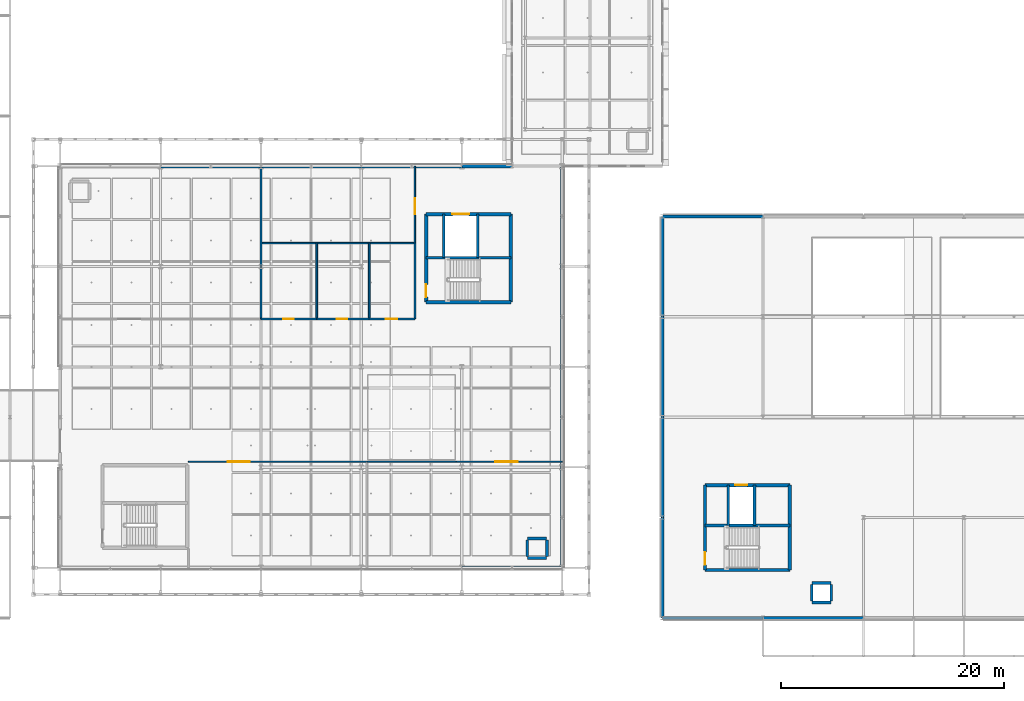
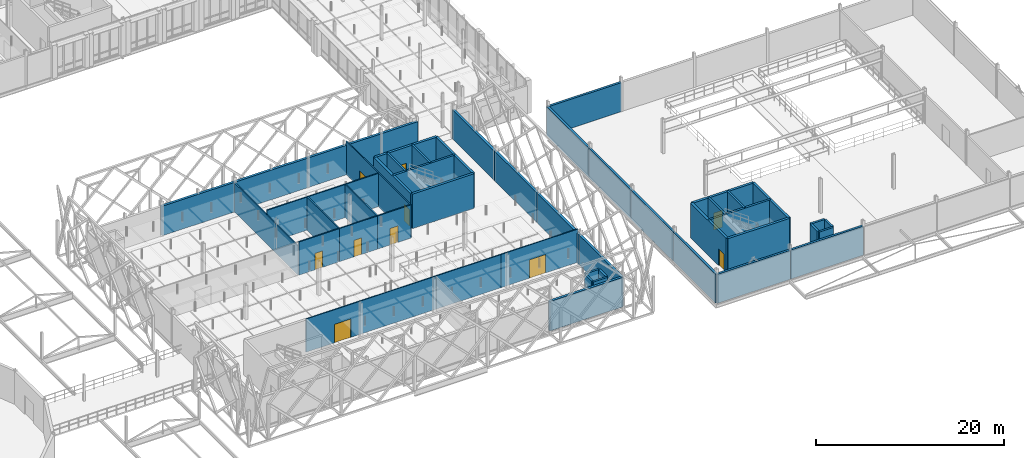
# One storey, part 90 of 140: 50 walls, 10 doors, 10 openings.
"""IFC4 building model written with IfcOpenShell, lengths in metres."""

from ifc_helpers import new_model, si_unit, direction, frame, frame_2d, origin, place, context, subcontext, project, spatial, rectangle, extrude, material, layer, layer_set, type_object, element, fill, save


model = new_model("IFC4")

# Units and contexts
model_context = context("Model", 3, precision=1e-05, world=origin(), true_north=direction((0.0, 1.0)))
body_context = subcontext(model_context, "Body", "Model", "MODEL_VIEW")
ifc_project = project(units=[si_unit("LENGTHUNIT", "METRE"), si_unit("AREAUNIT", "SQUARE_METRE"), si_unit("VOLUMEUNIT", "CUBIC_METRE"), si_unit("PLANEANGLEUNIT", "RADIAN"), si_unit("MASSUNIT", "GRAM", prefix="KILO"), si_unit("THERMODYNAMICTEMPERATUREUNIT", "KELVIN"), si_unit("POWERUNIT", "WATT")], contexts=[model_context])

# Site, building, storey
site_placement = place(None, origin())
site = spatial("IfcSite", under=ifc_project, at=site_placement, CompositionType="ELEMENT")
building_placement = place(site_placement, origin())
building = spatial("IfcBuilding", under=site, at=building_placement, Name="Tallowbark Science Centre", CompositionType="ELEMENT")
storey_placement = place(building_placement, frame((0.0, 0.0, 9.89990234375)))
storey = spatial("IfcBuildingStorey", under=building, at=storey_placement, Name="L02", CompositionType="ELEMENT", Elevation=9.89990234375)

# Walls
ifc_material_1 = material(Name="Insulated Ribbed Precast Concrete Panel Grade N40 (40 MPa)", Category="concrete")
ifc_layer_1 = layer(ifc_material_1, 0.264892578125)
ifc_layer_set_1 = layer_set([ifc_layer_1], Name="Insulated Ribbed Precast Concrete Panel Grade N40 (40 MPa)")
wall_type_1 = type_object("IfcWallType", Name="EWL-PRC-265", PredefinedType="STANDARD", material=ifc_layer_set_1)
for number, where, z_axis, x_axis, name in (
    (1, (112.5, 0.0, 0.0), (0.0, 0.0, 1.0), (1.0, 0.0, 0.0), "Exterior Wall THT-S-L02-0"),
    (2, (121.5, 36.0, 0.0), (0.0, 0.0, 1.0), (-1.0, 0.0, 0.0), "Exterior Wall THT-N-L02-0"),
    (3, (121.5, 0.0, 0.0), (0.0, 0.0, 1.0), (1.0, 0.0, 0.0), "Exterior Wall THT-S-L02-1"),
    (4, (112.5, 9.0, 0.0), (0.0, 0.0, 1.0), (0.0, -1.0, 0.0), "Exterior Wall THT-W-L02-0"),
    (5, (112.5, 18.0, 0.0), (0.0, 0.0, 1.0), (0.0, -1.0, 0.0), "Exterior Wall THT-W-L02-1"),
    (6, (112.5, 27.0, 0.0), (0.0, 0.0, 1.0), (0.0, -1.0, 0.0), "Exterior Wall THT-W-L02-2"),
    (7, (112.5, 36.0, 0.0), (0.0, 0.0, 1.0), (0.0, -1.0, 0.0), "Exterior Wall THT-W-L02-3"),
):
    element("IfcWall", number, at=place(storey_placement, frame(where, z_axis=z_axis, x_axis=x_axis)), inside=storey, type_object=wall_type_1, Name=name, PredefinedType="STANDARD", context=body_context, shape_type="SweptSolid", body=[
        extrude(rectangle(XDim=9.0, YDim=0.264892578125, at=frame_2d((4.5, 0.0))), origin(), (0.0, 0.0, 1.0), 3.78125),
    ])
ifc_material_2 = material(Name="Spotted Gum Acoustic Cassette Wall Assembly", Category="wood")
ifc_layer_2 = layer(ifc_material_2, 0.294921875)
ifc_layer_set_2 = layer_set([ifc_layer_2], Name="Spotted Gum Acoustic Cassette Wall Assembly")
wall_type_2 = type_object("IfcWallType", Name="EWL-TIM-295", PredefinedType="STANDARD", material=ifc_layer_set_2)
for number, where, z_axis, x_axis, name in (
    (8, (76.5, 40.5, 0.0), (0.0, 0.0, 1.0), (-1.0, 0.0, 0.0), "Exterior Wall CUB-N-L02-1"),
    (9, (85.5, 40.5, 0.0), (0.0, 0.0, 1.0), (-1.0, 0.0, 0.0), "Exterior Wall CUB-N-L02-2"),
    (10, (94.5, 40.5, 0.0), (0.0, 0.0, 1.0), (-1.0, 0.0, 0.0), "Exterior Wall CUB-N-L02-3"),
    (11, (94.5, 4.5, 0.0), (0.0, 0.0, 1.0), (1.0, 0.0, 0.0), "Exterior Wall CUB-S-L02-4"),
):
    element("IfcWall", number, at=place(storey_placement, frame(where, z_axis=z_axis, x_axis=x_axis)), inside=storey, type_object=wall_type_2, Name=name, PredefinedType="STANDARD", context=body_context, shape_type="SweptSolid", body=[
        extrude(rectangle(XDim=9.0, YDim=0.294921875, at=frame_2d((4.5, 0.0))), origin(), (0.0, 0.0, 1.0), 3.84619140625),
    ])
wall_1_placement = place(storey_placement, frame((99.0, 40.5, 0.0), z_axis=(0.0, 0.0, 1.0), x_axis=(-1.0, 0.0, 0.0)))
element("IfcWall", 12, at=wall_1_placement, inside=storey, type_object=wall_type_2, Name="Exterior Wall CUB-N-L02-4", PredefinedType="STANDARD", context=body_context, shape_type="SweptSolid", body=[
    extrude(rectangle(XDim=4.5, YDim=0.294921875, at=frame_2d((2.25, 0.0))), origin(), (0.0, 0.0, 1.0), 3.84619140625),
])
for number, where, z_axis, x_axis, name in (
    (13, (103.5, 4.5, 0.0), (0.0, 0.0, 1.0), (0.0, 1.0, 0.0), "Exterior Wall CUB-E-L02-0"),
    (14, (103.5, 13.5, 0.0), (0.0, 0.0, 1.0), (0.0, 1.0, 0.0), "Exterior Wall CUB-E-L02-1"),
    (15, (103.5, 22.5, 0.0), (0.0, 0.0, 1.0), (0.0, 1.0, 0.0), "Exterior Wall CUB-E-L02-2"),
):
    element("IfcWall", number, at=place(storey_placement, frame(where, z_axis=z_axis, x_axis=x_axis)), inside=storey, type_object=wall_type_2, Name=name, PredefinedType="STANDARD", context=body_context, shape_type="SweptSolid", body=[
        extrude(rectangle(XDim=9.0, YDim=0.294921875, at=frame_2d((4.5, 0.0))), origin(), (0.0, 0.0, 1.0), 3.84619140625),
    ])
wall_2_placement = place(storey_placement, frame((103.5, 31.5, 0.0), z_axis=(0.0, 0.0, 1.0), x_axis=(0.0, 1.0, 0.0)))
element("IfcWall", 16, at=wall_2_placement, inside=storey, type_object=wall_type_2, Name="Exterior Wall CUB-E-L02-3", PredefinedType="STANDARD", context=body_context, shape_type="SweptSolid", body=[
    extrude(rectangle(XDim=9.0, YDim=0.294921875, at=frame_2d((4.5, 0.0))), origin(), (0.0, 0.0, 1.0), 3.78125),
])
ifc_material_3 = material(Name="132 mm Acoustic Laboratory Steel Stud Partition", Category="steel")
ifc_layer_3 = layer(ifc_material_3, 0.132080078125)
ifc_layer_set_3 = layer_set([ifc_layer_3], Name="132 mm Acoustic Laboratory Steel Stud Partition")
wall_type_3 = type_object("IfcWallType", Name="PTW-132", PredefinedType="PARTITIONING", material=ifc_layer_set_3)
wall_3_placement = place(storey_placement, frame((86.0, 14.0, 0.0), z_axis=(0.0, 0.0, 1.0), x_axis=(1.0, 0.0, 0.0)))
element("IfcWall", 17, at=wall_3_placement, inside=storey, type_object=wall_type_3, Name="Interior Partition PTW-L02-0209", PredefinedType="PARTITIONING", context=body_context, shape_type="SweptSolid", body=[
    extrude(rectangle(XDim=8.0, YDim=0.132080078125, at=frame_2d((4.0, 0.0))), origin(), (0.0, 0.0, 1.0), 4.320068359375),
])

# Wall, opening, door
wall_4_placement = place(storey_placement, frame((90.300048828125, 33.60009765625, 0.0), z_axis=(0.0, 0.0, 1.0), x_axis=(0.0, 1.0, 0.0)))
wall_4 = element("IfcWall", 18, at=wall_4_placement, inside=storey, type_object=wall_type_3, Name="Interior Partition PTW-L02-0219", PredefinedType="PARTITIONING", context=body_context, shape_type="SweptSolid", body=[
    extrude(rectangle(XDim=6.89990234375, YDim=0.132080078125, at=frame_2d((3.449951171875, 0.0))), origin(), (0.0, 0.0, 1.0), 4.320068359375),
])
opening_1_placement = place(wall_4_placement, frame((2.60009765625, 0.0, 0.0)))
opening_1 = element("IfcOpeningElement", 19, at=opening_1_placement, cuts=wall_4, Name="Opening ID-01", PredefinedType="OPENING", context=body_context, shape_type="SweptSolid", body=[
    extrude(rectangle(XDim=1.39990234375, YDim=2.199951171875, at=frame_2d((0.699951171875, 1.10009765625))), frame((0.0, 0.076171875, 0.0), z_axis=(0.0, -1.0, 0.0), x_axis=(1.0, 0.0, 0.0)), (0.0, 0.0, 1.0), 0.152099609375),
])
ifc_material_4 = material(Name="Vision-Panel Leaf and Unequal Side Leaf")
door_type_1 = type_object("IfcDoorType", Name="IDR-LAB-140", OperationType="DOUBLE_DOOR_SINGLE_SWING", PredefinedType="DOOR", material=ifc_material_4)
door_1_placement = place(opening_1_placement, origin())
door_1 = element("IfcDoor", 20, at=door_1_placement, inside=storey, type_object=door_type_1, Name="Interior Door IDR-L02-0092", OperationType="DOUBLE_DOOR_SINGLE_SWING", OverallHeight=2.199951171875, OverallWidth=1.39990234375, PredefinedType="DOOR", context=body_context, shape_type="SweptSolid", body=[
    extrude(rectangle(XDim=1.39990234375, YDim=2.199951171875, at=frame_2d((0.699951171875, 1.10009765625))), frame((0.0, 0.02490234375, 0.0), z_axis=(0.0, -1.0, 0.0), x_axis=(1.0, 0.0, 0.0)), (0.0, 0.0, 1.0), 0.050048828125),
])
fill(opening_1, door_1)

ifc_material_5 = material(Name="150 mm Wet-Area Moisture-Resistant Partition")
ifc_layer_4 = layer(ifc_material_5, 0.14990234375)
ifc_layer_set_4 = layer_set([ifc_layer_4], Name="150 mm Wet-Area Moisture-Resistant Partition")
wall_type_4 = type_object("IfcWallType", Name="PTW-150", PredefinedType="PARTITIONING", material=ifc_layer_set_4)
wall_5_placement = place(storey_placement, frame((76.5, 26.800048828125, 0.0), z_axis=(0.0, 0.0, 1.0), x_axis=(1.0, 0.0, 0.0)))
wall_5 = element("IfcWall", 21, at=wall_5_placement, inside=storey, type_object=wall_type_4, Name="Interior Partition PTW-L02-0211", PredefinedType="PARTITIONING", context=body_context, shape_type="SweptSolid", body=[
    extrude(rectangle(XDim=5.0, YDim=0.14990234375, at=frame_2d((2.5, 0.0))), origin(), (0.0, 0.0, 1.0), 4.320068359375),
])
opening_2_placement = place(wall_5_placement, frame((2.0, 0.0, 0.0)))
opening_2 = element("IfcOpeningElement", 22, at=opening_2_placement, cuts=wall_5, Name="Opening ID-05", PredefinedType="OPENING", context=body_context, shape_type="SweptSolid", body=[
    extrude(rectangle(XDim=0.919921875, YDim=2.14990234375, at=frame_2d((0.4599609375, 1.074951171875))), frame((0.0, 0.0849609375, 0.0), z_axis=(0.0, -1.0, 0.0), x_axis=(1.0, 0.0, 0.0)), (0.0, 0.0, 1.0), 0.169921875),
])
ifc_material_6 = material(Name="Moisture-Resistant Laminate Leaf")
door_type_2 = type_object("IfcDoorType", Name="IDR-WC-092", OperationType="NOTDEFINED", PredefinedType="DOOR", material=ifc_material_6)
door_2_placement = place(opening_2_placement, origin())
door_2 = element("IfcDoor", 23, at=door_2_placement, inside=storey, type_object=door_type_2, Name="Interior Door IDR-L02-0089", OperationType="SINGLE_SWING_LEFT", OverallHeight=2.14990234375, OverallWidth=0.919921875, PredefinedType="DOOR", context=body_context, shape_type="SweptSolid", body=[
    extrude(rectangle(XDim=0.919921875, YDim=2.14990234375, at=frame_2d((0.4599609375, 1.074951171875))), frame((0.0, 0.02490234375, 0.0), z_axis=(0.0, -1.0, 0.0), x_axis=(1.0, 0.0, 0.0)), (0.0, 0.0, 1.0), 0.050048828125),
])
fill(opening_2, door_2)

wall_6_placement = place(storey_placement, frame((81.5, 26.800048828125, 0.0), z_axis=(0.0, 0.0, 1.0), x_axis=(1.0, 0.0, 0.0)))
wall_6 = element("IfcWall", 24, at=wall_6_placement, inside=storey, type_object=wall_type_4, Name="Interior Partition PTW-L02-0212", PredefinedType="PARTITIONING", context=body_context, shape_type="SweptSolid", body=[
    extrude(rectangle(XDim=4.699951171875, YDim=0.14990234375, at=frame_2d((2.35009765625, 0.0))), origin(), (0.0, 0.0, 1.0), 4.320068359375),
])
opening_3_placement = place(wall_6_placement, frame((1.800048828125, 0.0, 0.0)))
opening_3 = element("IfcOpeningElement", 25, at=opening_3_placement, cuts=wall_6, Name="Opening ID-05", PredefinedType="OPENING", context=body_context, shape_type="SweptSolid", body=[
    extrude(rectangle(XDim=0.919921875, YDim=2.14990234375, at=frame_2d((0.4599609375, 1.074951171875))), frame((0.0, 0.0849609375, 0.0), z_axis=(0.0, -1.0, 0.0), x_axis=(1.0, 0.0, 0.0)), (0.0, 0.0, 1.0), 0.169921875),
])
door_3_placement = place(opening_3_placement, origin())
door_3 = element("IfcDoor", 26, at=door_3_placement, inside=storey, type_object=door_type_2, Name="Interior Door IDR-L02-0090", OperationType="SINGLE_SWING_RIGHT", OverallHeight=2.14990234375, OverallWidth=0.919921875, PredefinedType="DOOR", context=body_context, shape_type="SweptSolid", body=[
    extrude(rectangle(XDim=0.919921875, YDim=2.14990234375, at=frame_2d((0.4599609375, 1.074951171875))), frame((0.0, 0.02490234375, 0.0), z_axis=(0.0, -1.0, 0.0), x_axis=(1.0, 0.0, 0.0)), (0.0, 0.0, 1.0), 0.050048828125),
])
fill(opening_3, door_3)

wall_7_placement = place(storey_placement, frame((86.199951171875, 26.800048828125, 0.0), z_axis=(0.0, 0.0, 1.0), x_axis=(1.0, 0.0, 0.0)))
wall_7 = element("IfcWall", 27, at=wall_7_placement, inside=storey, type_object=wall_type_4, Name="Interior Partition PTW-L02-0213", PredefinedType="PARTITIONING", context=body_context, shape_type="SweptSolid", body=[
    extrude(rectangle(XDim=4.10009765625, YDim=0.14990234375, at=frame_2d((2.050048828125, 0.0))), origin(), (0.0, 0.0, 1.0), 4.320068359375),
])
opening_4_placement = place(wall_7_placement, frame((1.5, 0.0, 0.0)))
opening_4 = element("IfcOpeningElement", 28, at=opening_4_placement, cuts=wall_7, Name="Opening ID-06", PredefinedType="OPENING", context=body_context, shape_type="SweptSolid", body=[
    extrude(rectangle(XDim=1.0, YDim=2.14990234375, at=frame_2d((0.5, 1.074951171875))), frame((0.0, 0.0849609375, 0.0), z_axis=(0.0, -1.0, 0.0), x_axis=(1.0, 0.0, 0.0)), (0.0, 0.0, 1.0), 0.169921875),
])
ifc_material_7 = material(Name="Accessible Cavity Sliding Leaf")
door_type_3 = type_object("IfcDoorType", Name="IDR-AWC-100", OperationType="SLIDING_TO_LEFT", PredefinedType="DOOR", material=ifc_material_7)
door_4_placement = place(opening_4_placement, origin())
door_4 = element("IfcDoor", 29, at=door_4_placement, inside=storey, type_object=door_type_3, Name="Interior Door IDR-L02-0091", OperationType="SLIDING_TO_LEFT", OverallHeight=2.14990234375, OverallWidth=1.0, PredefinedType="DOOR", context=body_context, shape_type="SweptSolid", body=[
    extrude(rectangle(XDim=1.0, YDim=2.14990234375, at=frame_2d((0.5, 1.074951171875))), frame((0.0, 0.02490234375, 0.0), z_axis=(0.0, -1.0, 0.0), x_axis=(1.0, 0.0, 0.0)), (0.0, 0.0, 1.0), 0.050048828125),
])
fill(opening_4, door_4)

# Walls
wall_8_placement = place(storey_placement, frame((76.5, 26.800048828125, 0.0), z_axis=(0.0, 0.0, 1.0), x_axis=(0.0, 1.0, 0.0)))
element("IfcWall", 30, at=wall_8_placement, inside=storey, type_object=wall_type_4, Name="Interior Partition PTW-L02-0214", PredefinedType="PARTITIONING", context=body_context, shape_type="SweptSolid", body=[
    extrude(rectangle(XDim=13.699951171875, YDim=0.14990234375, at=frame_2d((6.85009765625, 0.0))), origin(), (0.0, 0.0, 1.0), 3.77197265625),
])
for number, where, z_axis, x_axis, name in (
    (31, (81.5, 26.800048828125, 0.0), (0.0, 0.0, 1.0), (0.0, 1.0, 0.0), "Interior Partition PTW-L02-0215"),
    (32, (86.199951171875, 26.800048828125, 0.0), (0.0, 0.0, 1.0), (0.0, 1.0, 0.0), "Interior Partition PTW-L02-0216"),
):
    element("IfcWall", number, at=place(storey_placement, frame(where, z_axis=z_axis, x_axis=x_axis)), inside=storey, type_object=wall_type_4, Name=name, PredefinedType="PARTITIONING", context=body_context, shape_type="SweptSolid", body=[
        extrude(rectangle(XDim=6.800048828125, YDim=0.14990234375, at=frame_2d((3.39990234375, 0.0))), origin(), (0.0, 0.0, 1.0), 4.320068359375),
    ])
wall_9_placement = place(storey_placement, frame((76.5, 33.60009765625, 0.0), z_axis=(0.0, 0.0, 1.0), x_axis=(1.0, 0.0, 0.0)))
element("IfcWall", 33, at=wall_9_placement, inside=storey, type_object=wall_type_4, Name="Interior Partition PTW-L02-0217", PredefinedType="PARTITIONING", context=body_context, shape_type="SweptSolid", body=[
    extrude(rectangle(XDim=13.800048828125, YDim=0.14990234375, at=frame_2d((6.89990234375, 0.0))), origin(), (0.0, 0.0, 1.0), 4.320068359375),
])
wall_10_placement = place(storey_placement, frame((90.300048828125, 26.800048828125, 0.0), z_axis=(0.0, 0.0, 1.0), x_axis=(0.0, 1.0, 0.0)))
element("IfcWall", 34, at=wall_10_placement, inside=storey, type_object=wall_type_4, Name="Interior Partition PTW-L02-0218", PredefinedType="PARTITIONING", context=body_context, shape_type="SweptSolid", body=[
    extrude(rectangle(XDim=6.800048828125, YDim=0.14990234375, at=frame_2d((3.39990234375, 0.0))), origin(), (0.0, 0.0, 1.0), 4.320068359375),
])

# Wall, opening, door
ifc_material_8 = material(Name="125 mm Top-Hung Operable Acoustic Exhibition Partition")
ifc_layer_5 = layer(ifc_material_8, 0.125)
ifc_layer_set_5 = layer_set([ifc_layer_5], Name="125 mm Top-Hung Operable Acoustic Exhibition Partition")
wall_type_5 = type_object("IfcWallType", Name="PTW-MOV-125", PredefinedType="MOVABLE", material=ifc_layer_set_5)
wall_11_placement = place(storey_placement, frame((70.0, 14.0, 0.0), z_axis=(0.0, 0.0, 1.0), x_axis=(1.0, 0.0, 0.0)))
wall_11 = element("IfcWall", 35, at=wall_11_placement, inside=storey, type_object=wall_type_5, Name="Interior Partition PTW-L02-0206", PredefinedType="MOVABLE", context=body_context, shape_type="SweptSolid", body=[
    extrude(rectangle(XDim=16.0, YDim=0.125, at=frame_2d((8.0, 0.0))), origin(), (0.0, 0.0, 1.0), 4.320068359375),
])
opening_5_placement = place(wall_11_placement, frame((3.5, 0.0, 0.0)))
opening_5 = element("IfcOpeningElement", 36, at=opening_5_placement, cuts=wall_11, Name="Opening ID-02", PredefinedType="OPENING", context=body_context, shape_type="SweptSolid", body=[
    extrude(rectangle(XDim=2.0, YDim=2.39990234375, at=frame_2d((1.0, 1.199951171875))), frame((0.0, 0.072509765625, 0.0), z_axis=(0.0, -1.0, 0.0), x_axis=(1.0, 0.0, 0.0)), (0.0, 0.0, 1.0), 0.14501953125),
])
ifc_material_9 = material(Name="Spotted Gum Acoustic Gallery Pair", Category="wood")
door_type_4 = type_object("IfcDoorType", Name="IDR-GAL-200", OperationType="DOUBLE_DOOR_DOUBLE_SWING", PredefinedType="DOOR", material=ifc_material_9)
door_5_placement = place(opening_5_placement, origin())
door_5 = element("IfcDoor", 37, at=door_5_placement, inside=storey, type_object=door_type_4, Name="Interior Door IDR-L02-0086", OperationType="DOUBLE_DOOR_DOUBLE_SWING", OverallHeight=2.39990234375, OverallWidth=2.0, PredefinedType="DOOR", context=body_context, shape_type="SweptSolid", body=[
    extrude(rectangle(XDim=2.0, YDim=2.39990234375, at=frame_2d((1.0, 1.199951171875))), frame((0.0, 0.02490234375, 0.0), z_axis=(0.0, -1.0, 0.0), x_axis=(1.0, 0.0, 0.0)), (0.0, 0.0, 1.0), 0.050048828125),
])
fill(opening_5, door_5)

wall_12_placement = place(storey_placement, frame((94.0, 14.0, 0.0), z_axis=(0.0, 0.0, 1.0), x_axis=(1.0, 0.0, 0.0)))
wall_12 = element("IfcWall", 38, at=wall_12_placement, inside=storey, type_object=wall_type_5, Name="Interior Partition PTW-L02-0208", PredefinedType="MOVABLE", context=body_context, shape_type="SweptSolid", body=[
    extrude(rectangle(XDim=9.5, YDim=0.125, at=frame_2d((4.75, 0.0))), origin(), (0.0, 0.0, 1.0), 4.320068359375),
])
opening_6_placement = place(wall_12_placement, frame((3.5, 0.0, 0.0)))
opening_6 = element("IfcOpeningElement", 39, at=opening_6_placement, cuts=wall_12, Name="Opening ID-02", PredefinedType="OPENING", context=body_context, shape_type="SweptSolid", body=[
    extrude(rectangle(XDim=2.0, YDim=2.39990234375, at=frame_2d((1.0, 1.199951171875))), frame((0.0, 0.072509765625, 0.0), z_axis=(0.0, -1.0, 0.0), x_axis=(1.0, 0.0, 0.0)), (0.0, 0.0, 1.0), 0.14501953125),
])
door_6_placement = place(opening_6_placement, origin())
door_6 = element("IfcDoor", 40, at=door_6_placement, inside=storey, type_object=door_type_4, Name="Interior Door IDR-L02-0087", OperationType="DOUBLE_DOOR_DOUBLE_SWING", OverallHeight=2.39990234375, OverallWidth=2.0, PredefinedType="DOOR", context=body_context, shape_type="SweptSolid", body=[
    extrude(rectangle(XDim=2.0, YDim=2.39990234375, at=frame_2d((1.0, 1.199951171875))), frame((0.0, 0.02490234375, 0.0), z_axis=(0.0, -1.0, 0.0), x_axis=(1.0, 0.0, 0.0)), (0.0, 0.0, 1.0), 0.050048828125),
])
fill(opening_6, door_6)

ifc_material_10 = material(Name="Concrete Grade N40 (40 MPa)", Category="concrete")
ifc_layer_6 = layer(ifc_material_10, 0.300048828125)
ifc_layer_set_6 = layer_set([ifc_layer_6], Name="Concrete Grade N40 (40 MPa)")
wall_type_6 = type_object("IfcWallType", Name="WL-CORE-300", PredefinedType="SHEAR", material=ifc_layer_set_6)
wall_13_placement = place(storey_placement, frame((91.300048828125, 28.300048828125, 0.0), z_axis=(0.0, 0.0, 1.0), x_axis=(0.0, 1.0, 0.0)))
wall_13 = element("IfcWall", 41, at=wall_13_placement, inside=storey, type_object=wall_type_6, Name="Core C3 Shear Wall L02 W", PredefinedType="SHEAR", context=body_context, shape_type="SweptSolid", body=[
    extrude(rectangle(XDim=7.89990234375, YDim=0.300048828125, at=frame_2d((3.949951171875, 0.0))), origin(), (0.0, 0.0, 1.0), 4.5),
])
opening_7_placement = place(wall_13_placement, frame((0.449951171875, 0.0, 0.0)))
opening_7 = element("IfcOpeningElement", 42, at=opening_7_placement, cuts=wall_13, Name="Opening FD-01", PredefinedType="OPENING", context=body_context, shape_type="SweptSolid", body=[
    extrude(rectangle(XDim=1.14990234375, YDim=2.14990234375, at=frame_2d((0.574951171875, 1.074951171875))), frame((0.0, 0.16015625, 0.0), z_axis=(0.0, -1.0, 0.0), x_axis=(1.0, 0.0, 0.0)), (0.0, 0.0, 1.0), 0.320068359375),
])
ifc_material_11 = material(Name="Fire-Rated Pressed Steel Frame and Solid Core Leaf", Category="steel")
door_type_5 = type_object("IfcDoorType", Name="FDR-STR-115", OperationType="NOTDEFINED", PredefinedType="DOOR", material=ifc_material_11)
door_7_placement = place(opening_7_placement, origin())
door_7 = element("IfcDoor", 43, at=door_7_placement, inside=storey, type_object=door_type_5, Name="Stair ST-03 Fire Door L02", OperationType="SINGLE_SWING_RIGHT", OverallHeight=2.14990234375, OverallWidth=1.14990234375, PredefinedType="DOOR", context=body_context, shape_type="SweptSolid", body=[
    extrude(rectangle(XDim=1.14990234375, YDim=2.14990234375, at=frame_2d((0.574951171875, 1.074951171875))), frame((0.0, 0.02490234375, 0.0), z_axis=(0.0, -1.0, 0.0), x_axis=(1.0, 0.0, 0.0)), (0.0, 0.0, 1.0), 0.050048828125),
])
fill(opening_7, door_7)

# Walls
wall_14_placement = place(storey_placement, frame((98.89990234375, 28.300048828125, 0.0), z_axis=(0.0, 0.0, 1.0), x_axis=(0.0, 1.0, 0.0)))
element("IfcWall", 44, at=wall_14_placement, inside=storey, type_object=wall_type_6, Name="Core C3 Shear Wall L02 E", PredefinedType="SHEAR", context=body_context, shape_type="SweptSolid", body=[
    extrude(rectangle(XDim=7.89990234375, YDim=0.300048828125, at=frame_2d((3.949951171875, 0.0))), origin(), (0.0, 0.0, 1.0), 4.5),
])
wall_15_placement = place(storey_placement, frame((91.300048828125, 28.300048828125, 0.0), z_axis=(0.0, 0.0, 1.0), x_axis=(1.0, 0.0, 0.0)))
element("IfcWall", 45, at=wall_15_placement, inside=storey, type_object=wall_type_6, Name="Core C3 Shear Wall L02 S", PredefinedType="SHEAR", context=body_context, shape_type="SweptSolid", body=[
    extrude(rectangle(XDim=7.599853515625, YDim=0.300048828125, at=frame_2d((3.7998046875, 0.0))), origin(), (0.0, 0.0, 1.0), 4.5),
])

# Wall, opening, door
wall_16_placement = place(storey_placement, frame((91.300048828125, 36.199951171875, 0.0), z_axis=(0.0, 0.0, 1.0), x_axis=(1.0, 0.0, 0.0)))
wall_16 = element("IfcWall", 46, at=wall_16_placement, inside=storey, type_object=wall_type_6, Name="Core C3 Shear Wall L02 N", PredefinedType="SHEAR", context=body_context, shape_type="SweptSolid", body=[
    extrude(rectangle(XDim=7.599853515625, YDim=0.300048828125, at=frame_2d((3.7998046875, 0.0))), origin(), (0.0, 0.0, 1.0), 4.5),
])
opening_8_placement = place(wall_16_placement, frame((2.35009765625, 0.0, 0.0)))
opening_8 = element("IfcOpeningElement", 47, at=opening_8_placement, cuts=wall_16, Name="Opening LD-02", PredefinedType="OPENING", context=body_context, shape_type="SweptSolid", body=[
    extrude(rectangle(XDim=1.5, YDim=2.39990234375, at=frame_2d((0.75, 1.199951171875))), frame((0.0, 0.16015625, 0.0), z_axis=(0.0, -1.0, 0.0), x_axis=(1.0, 0.0, 0.0)), (0.0, 0.0, 1.0), 0.320068359375),
])
ifc_material_12 = material(Name="Heavy-Duty Goods and Stretcher Lift Landing Door")
door_type_6 = type_object("IfcDoorType", Name="LDR-GDS-150", OperationType="DOUBLE_DOOR_SLIDING", PredefinedType="DOOR", material=ifc_material_12)
door_8_placement = place(opening_8_placement, origin())
door_8 = element("IfcDoor", 48, at=door_8_placement, inside=storey, type_object=door_type_6, Name="Lift LF-06 Landing Door L02", OperationType="DOUBLE_DOOR_SLIDING", OverallHeight=2.39990234375, OverallWidth=1.5, PredefinedType="DOOR", context=body_context, shape_type="SweptSolid", body=[
    extrude(rectangle(XDim=1.5, YDim=2.39990234375, at=frame_2d((0.75, 1.199951171875))), frame((0.0, 0.02490234375, 0.0), z_axis=(0.0, -1.0, 0.0), x_axis=(1.0, 0.0, 0.0)), (0.0, 0.0, 1.0), 0.050048828125),
])
fill(opening_8, door_8)

wall_17_placement = place(storey_placement, frame((116.300048828125, 4.300048828125, 0.0), z_axis=(0.0, 0.0, 1.0), x_axis=(0.0, 1.0, 0.0)))
wall_17 = element("IfcWall", 49, at=wall_17_placement, inside=storey, type_object=wall_type_6, Name="Core C6 Shear Wall L02 W", PredefinedType="SHEAR", context=body_context, shape_type="SweptSolid", body=[
    extrude(rectangle(XDim=7.599853515625, YDim=0.300048828125, at=frame_2d((3.7998046875, 0.0))), origin(), (0.0, 0.0, 1.0), 4.5),
])
opening_9_placement = place(wall_17_placement, frame((0.449951171875, 0.0, 0.0)))
opening_9 = element("IfcOpeningElement", 50, at=opening_9_placement, cuts=wall_17, Name="Opening FD-01", PredefinedType="OPENING", context=body_context, shape_type="SweptSolid", body=[
    extrude(rectangle(XDim=1.14990234375, YDim=2.14990234375, at=frame_2d((0.574951171875, 1.074951171875))), frame((0.0, 0.16015625, 0.0), z_axis=(0.0, -1.0, 0.0), x_axis=(1.0, 0.0, 0.0)), (0.0, 0.0, 1.0), 0.320068359375),
])
door_9_placement = place(opening_9_placement, origin())
door_9 = element("IfcDoor", 51, at=door_9_placement, inside=storey, type_object=door_type_5, Name="Stair ST-06 Fire Door L02", OperationType="SINGLE_SWING_LEFT", OverallHeight=2.14990234375, OverallWidth=1.14990234375, PredefinedType="DOOR", context=body_context, shape_type="SweptSolid", body=[
    extrude(rectangle(XDim=1.14990234375, YDim=2.14990234375, at=frame_2d((0.574951171875, 1.074951171875))), frame((0.0, 0.02490234375, 0.0), z_axis=(0.0, -1.0, 0.0), x_axis=(1.0, 0.0, 0.0)), (0.0, 0.0, 1.0), 0.050048828125),
])
fill(opening_9, door_9)

# Walls
for number, where, z_axis, x_axis, name in (
    (52, (123.89990234375, 4.300048828125, 0.0), (0.0, 0.0, 1.0), (0.0, 1.0, 0.0), "Core C6 Shear Wall L02 E"),
    (53, (116.300048828125, 4.300048828125, 0.0), (0.0, 0.0, 1.0), (1.0, 0.0, 0.0), "Core C6 Shear Wall L02 S"),
):
    element("IfcWall", number, at=place(storey_placement, frame(where, z_axis=z_axis, x_axis=x_axis)), inside=storey, type_object=wall_type_6, Name=name, PredefinedType="SHEAR", context=body_context, shape_type="SweptSolid", body=[
        extrude(rectangle(XDim=7.599853515625, YDim=0.300048828125, at=frame_2d((3.7998046875, 0.0))), origin(), (0.0, 0.0, 1.0), 4.5),
    ])

# Wall, opening, door
wall_18_placement = place(storey_placement, frame((116.300048828125, 11.89990234375, 0.0), z_axis=(0.0, 0.0, 1.0), x_axis=(1.0, 0.0, 0.0)))
wall_18 = element("IfcWall", 54, at=wall_18_placement, inside=storey, type_object=wall_type_6, Name="Core C6 Shear Wall L02 N", PredefinedType="SHEAR", context=body_context, shape_type="SweptSolid", body=[
    extrude(rectangle(XDim=7.599853515625, YDim=0.300048828125, at=frame_2d((3.7998046875, 0.0))), origin(), (0.0, 0.0, 1.0), 4.5),
])
opening_10_placement = place(wall_18_placement, frame((2.699951171875, 0.0, 0.0)))
opening_10 = element("IfcOpeningElement", 55, at=opening_10_placement, cuts=wall_18, Name="Opening LD-01", PredefinedType="OPENING", context=body_context, shape_type="SweptSolid", body=[
    extrude(rectangle(XDim=1.10009765625, YDim=2.199951171875, at=frame_2d((0.550048828125, 1.10009765625))), frame((0.0, 0.16015625, 0.0), z_axis=(0.0, -1.0, 0.0), x_axis=(1.0, 0.0, 0.0)), (0.0, 0.0, 1.0), 0.320068359375),
])
ifc_material_13 = material(Name="Brushed Stainless Steel Centre-Parting Lift Landing Door", Category="steel")
door_type_7 = type_object("IfcDoorType", Name="LDR-LFT-110", OperationType="DOUBLE_DOOR_SLIDING", PredefinedType="DOOR", material=ifc_material_13)
door_10_placement = place(opening_10_placement, origin())
door_10 = element("IfcDoor", 56, at=door_10_placement, inside=storey, type_object=door_type_7, Name="Lift LF-05 Landing Door L02", OperationType="DOUBLE_DOOR_SLIDING", OverallHeight=2.199951171875, OverallWidth=1.10009765625, PredefinedType="DOOR", context=body_context, shape_type="SweptSolid", body=[
    extrude(rectangle(XDim=1.10009765625, YDim=2.199951171875, at=frame_2d((0.550048828125, 1.10009765625))), frame((0.0, 0.02490234375, 0.0), z_axis=(0.0, -1.0, 0.0), x_axis=(1.0, 0.0, 0.0)), (0.0, 0.0, 1.0), 0.050048828125),
])
fill(opening_10, door_10)

# Walls
ifc_layer_7 = layer(ifc_material_10, 0.25)
ifc_layer_set_7 = layer_set([ifc_layer_7], Name="Concrete Grade N40 (40 MPa)")
wall_type_7 = type_object("IfcWallType", Name="WL-SHAFT-250", PredefinedType="SHEAR", material=ifc_layer_set_7)
wall_19_placement = place(storey_placement, frame((91.300048828125, 32.294921875, 0.0), z_axis=(0.0, 0.0, 1.0), x_axis=(1.0, 0.0, 0.0)))
element("IfcWall", 57, at=wall_19_placement, inside=storey, type_object=wall_type_7, Name="Core C3 Shear Wall L02 MID", PredefinedType="SHEAR", context=body_context, shape_type="SweptSolid", body=[
    extrude(rectangle(XDim=7.599853515625, YDim=0.25, at=frame_2d((3.7998046875, 0.0))), origin(), (0.0, 0.0, 1.0), 4.5),
])
for number, where, z_axis, x_axis, name in (
    (58, (92.875, 32.294921875, 0.0), (0.0, 0.0, 1.0), (0.0, 1.0, 0.0), "Core C3 Shear Wall L02 LW"),
    (59, (95.925048828125, 32.294921875, 0.0), (0.0, 0.0, 1.0), (0.0, 1.0, 0.0), "Core C3 Shear Wall L02 LE"),
):
    element("IfcWall", number, at=place(storey_placement, frame(where, z_axis=z_axis, x_axis=x_axis)), inside=storey, type_object=wall_type_7, Name=name, PredefinedType="SHEAR", context=body_context, shape_type="SweptSolid", body=[
        extrude(rectangle(XDim=3.905029296875, YDim=0.25, at=frame_2d((1.95263671875, 0.0))), origin(), (0.0, 0.0, 1.0), 4.5),
    ])
wall_20_placement = place(storey_placement, frame((116.300048828125, 8.294921875, 0.0), z_axis=(0.0, 0.0, 1.0), x_axis=(1.0, 0.0, 0.0)))
element("IfcWall", 60, at=wall_20_placement, inside=storey, type_object=wall_type_7, Name="Core C6 Shear Wall L02 MID", PredefinedType="SHEAR", context=body_context, shape_type="SweptSolid", body=[
    extrude(rectangle(XDim=7.599853515625, YDim=0.25, at=frame_2d((3.7998046875, 0.0))), origin(), (0.0, 0.0, 1.0), 4.5),
])
for number, where, z_axis, x_axis, name in (
    (61, (118.375, 8.294921875, 0.0), (0.0, 0.0, 1.0), (0.0, 1.0, 0.0), "Core C6 Shear Wall L02 LW"),
    (62, (120.72509765625, 8.294921875, 0.0), (0.0, 0.0, 1.0), (0.0, 1.0, 0.0), "Core C6 Shear Wall L02 LE"),
):
    element("IfcWall", number, at=place(storey_placement, frame(where, z_axis=z_axis, x_axis=x_axis)), inside=storey, type_object=wall_type_7, Name=name, PredefinedType="SHEAR", context=body_context, shape_type="SweptSolid", body=[
        extrude(rectangle(XDim=3.60498046875, YDim=0.25, at=frame_2d((1.802490234375, 0.0))), origin(), (0.0, 0.0, 1.0), 4.5),
    ])
for number, where, z_axis, x_axis, name in (
    (63, (100.39990234375, 5.375, 0.0), (0.0, 0.0, 1.0), (1.0, 0.0, 0.0), "Service Riser Shaft Wall RSR-CUB-E L02 S"),
    (64, (100.39990234375, 7.125, 0.0), (0.0, 0.0, 1.0), (1.0, 0.0, 0.0), "Service Riser Shaft Wall RSR-CUB-E L02 N"),
):
    element("IfcWall", number, at=place(storey_placement, frame(where, z_axis=z_axis, x_axis=x_axis)), inside=storey, type_object=wall_type_7, Name=name, PredefinedType="SHEAR", context=body_context, shape_type="SweptSolid", body=[
        extrude(rectangle(XDim=1.7001953125, YDim=0.25, at=frame_2d((0.85009765625, 0.0))), origin(), (0.0, 0.0, 1.0), 3.77001953125),
    ])
for number, where, z_axis, x_axis, name in (
    (65, (100.375, 5.5, 0.0), (0.0, 0.0, 1.0), (0.0, 1.0, 0.0), "Service Riser Shaft Wall RSR-CUB-E L02 W"),
    (66, (102.125, 5.5, 0.0), (0.0, 0.0, 1.0), (0.0, 1.0, 0.0), "Service Riser Shaft Wall RSR-CUB-E L02 E"),
):
    element("IfcWall", number, at=place(storey_placement, frame(where, z_axis=z_axis, x_axis=x_axis)), inside=storey, type_object=wall_type_7, Name=name, PredefinedType="SHEAR", context=body_context, shape_type="SweptSolid", body=[
        extrude(rectangle(XDim=1.5, YDim=0.25, at=frame_2d((0.75, 0.0))), origin(), (0.0, 0.0, 1.0), 3.77001953125),
    ])
for number, where, z_axis, x_axis, name in (
    (67, (125.89990234375, 1.375, 0.0), (0.0, 0.0, 1.0), (1.0, 0.0, 0.0), "Service Riser Shaft Wall RSR-THT-W L02 S"),
    (68, (125.89990234375, 3.125, 0.0), (0.0, 0.0, 1.0), (1.0, 0.0, 0.0), "Service Riser Shaft Wall RSR-THT-W L02 N"),
):
    element("IfcWall", number, at=place(storey_placement, frame(where, z_axis=z_axis, x_axis=x_axis)), inside=storey, type_object=wall_type_7, Name=name, PredefinedType="SHEAR", context=body_context, shape_type="SweptSolid", body=[
        extrude(rectangle(XDim=1.7001953125, YDim=0.25, at=frame_2d((0.85009765625, 0.0))), origin(), (0.0, 0.0, 1.0), 3.77001953125),
    ])
for number, where, z_axis, x_axis, name in (
    (69, (125.875, 1.5, 0.0), (0.0, 0.0, 1.0), (0.0, 1.0, 0.0), "Service Riser Shaft Wall RSR-THT-W L02 W"),
    (70, (127.625, 1.5, 0.0), (0.0, 0.0, 1.0), (0.0, 1.0, 0.0), "Service Riser Shaft Wall RSR-THT-W L02 E"),
):
    element("IfcWall", number, at=place(storey_placement, frame(where, z_axis=z_axis, x_axis=x_axis)), inside=storey, type_object=wall_type_7, Name=name, PredefinedType="SHEAR", context=body_context, shape_type="SweptSolid", body=[
        extrude(rectangle(XDim=1.5, YDim=0.25, at=frame_2d((0.75, 0.0))), origin(), (0.0, 0.0, 1.0), 3.77001953125),
    ])

save(model, "model.ifc")
